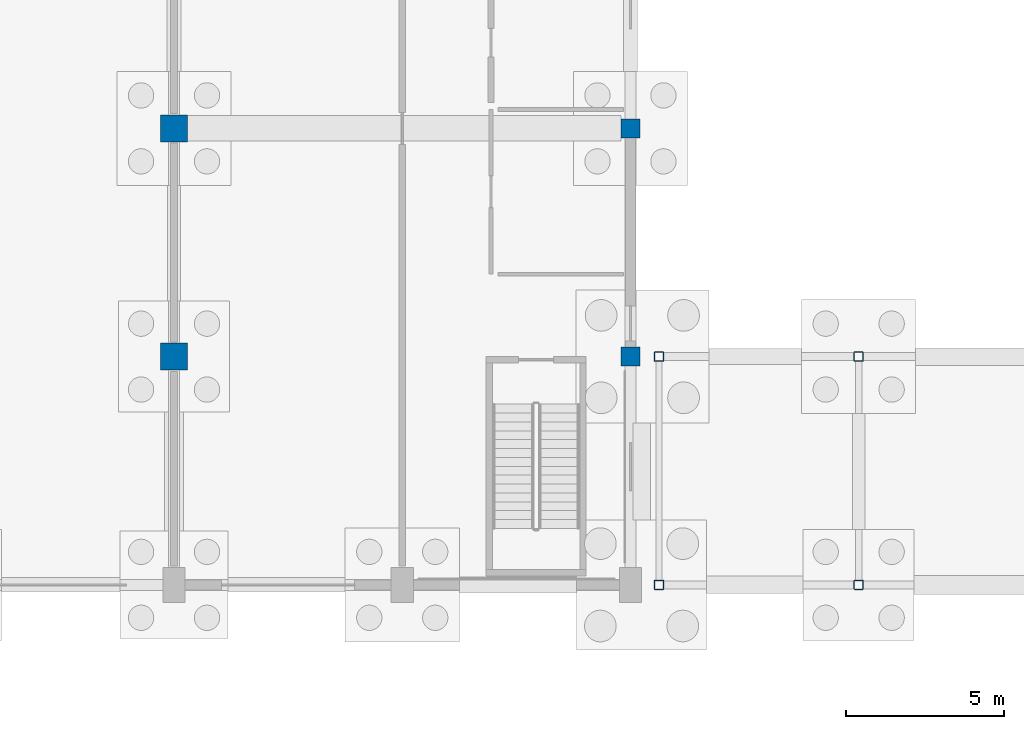
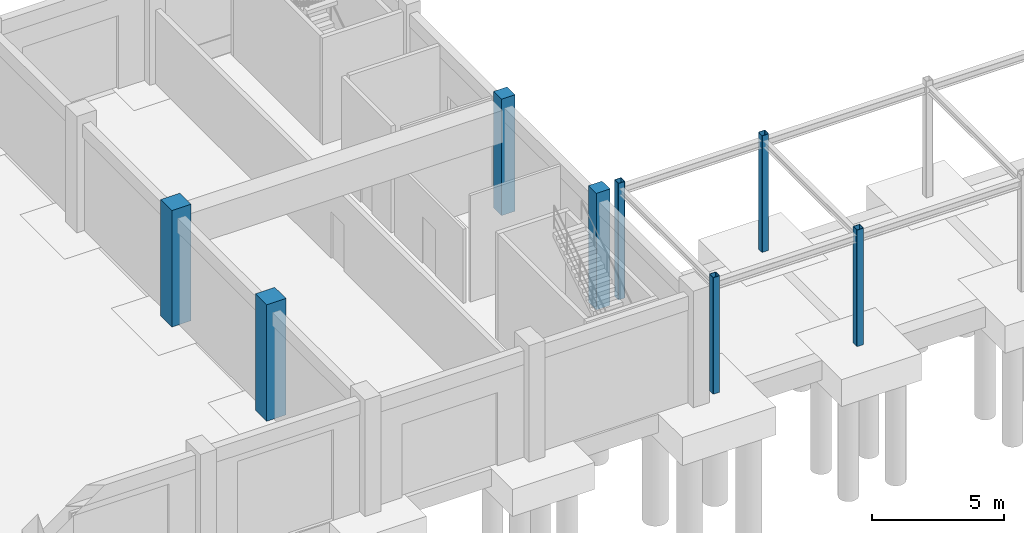
# One storey, part 12 of 93: 8 columns.
"""IFC4 building model written with IfcOpenShell, lengths in metres."""

from ifc_helpers import new_model, si_unit, direction, frame, origin, origin_2d, place, context, subcontext, project, spatial, rectangle, hollow_rectangle, extrude, material, material_profile, profile_set, type_object, element, save


model = new_model("IFC4")

# Units and contexts
model_context = context("Model", 3, precision=1e-05, world=origin(), true_north=direction((0.0, 1.0)))
body_context = subcontext(model_context, "Body", "Model", "MODEL_VIEW")
ifc_project = project(units=[si_unit("LENGTHUNIT", "METRE"), si_unit("AREAUNIT", "SQUARE_METRE"), si_unit("VOLUMEUNIT", "CUBIC_METRE"), si_unit("PLANEANGLEUNIT", "RADIAN"), si_unit("MASSUNIT", "GRAM", prefix="KILO")], contexts=[model_context])

# Site, building, storey
site_placement = place(None, origin())
site = spatial("IfcSite", under=ifc_project, at=site_placement, CompositionType="ELEMENT")
building_placement = place(site_placement, origin())
building = spatial("IfcBuilding", under=site, at=building_placement, Name="Koriwan Promenade Central Fire Station", CompositionType="ELEMENT")
storey_placement = place(building_placement, origin())
storey = spatial("IfcBuildingStorey", under=building, at=storey_placement, Name="L00", CompositionType="ELEMENT", Elevation=0.0)

# Columns
ifc_material_1 = material(Name="Concrete C40/50", Category="concrete")
ifc_material_profile_1 = material_profile(ifc_material_1, rectangle(XDim=0.60009765625, YDim=0.60009765625, at=origin_2d()), Name="RC-COL-600x600")
ifc_profile_set_1 = profile_set([ifc_material_profile_1], Name="Concrete C40/50")
column_type_1 = type_object("IfcColumnType", Name="Column_RC-COL-600x600", PredefinedType="COLUMN", material=ifc_profile_set_1)
for number, where, z_axis, x_axis, name in (
    (1, (115.199951171875, 50.39990234375, 0.0), (0.0, 0.0, 1.0), (1.0, 0.0, 0.0), "V1 L00 column (115.2, 50.4)"),
    (2, (115.199951171875, 57.60009765625, 0.0), (0.0, 0.0, 1.0), (1.0, 0.0, 0.0), "V1 L00 column (115.2, 57.6)"),
):
    element("IfcColumn", number, at=place(storey_placement, frame(where, z_axis=z_axis, x_axis=x_axis)), inside=storey, type_object=column_type_1, Name=name, PredefinedType="COLUMN", context=body_context, shape_type="SweptSolid", body=[
        extrude(rectangle(XDim=0.60009765625, YDim=0.60009765625, at=origin_2d()), origin(), (0.0, 0.0, 1.0), 5.39990234375),
    ])
ifc_material_profile_2 = material_profile(ifc_material_1, rectangle(XDim=0.85009765625, YDim=0.85009765625, at=origin_2d()), Name="RC-COL-850x850")
ifc_profile_set_2 = profile_set([ifc_material_profile_2], Name="Concrete C40/50")
column_type_2 = type_object("IfcColumnType", Name="Column_RC-COL-850x850", PredefinedType="COLUMN", material=ifc_profile_set_2)
for number, where, z_axis, x_axis, name in (
    (3, (100.800048828125, 50.39990234375, 0.0), (0.0, 0.0, 1.0), (1.0, 0.0, 0.0), "V1 L00 column (100.8, 50.4)"),
    (4, (100.800048828125, 57.60009765625, 0.0), (0.0, 0.0, 1.0), (1.0, 0.0, 0.0), "V1 L00 column (100.8, 57.6)"),
):
    element("IfcColumn", number, at=place(storey_placement, frame(where, z_axis=z_axis, x_axis=x_axis)), inside=storey, type_object=column_type_2, Name=name, PredefinedType="COLUMN", context=body_context, shape_type="SweptSolid", body=[
        extrude(rectangle(XDim=0.85009765625, YDim=0.85009765625, at=origin_2d()), origin(), (0.0, 0.0, 1.0), 5.39990234375),
    ])
ifc_material_2 = material(Name="Steel ASTM A500 Grade C", Category="steel")
ifc_material_profile_3 = material_profile(ifc_material_2, hollow_rectangle(XDim=0.300048828125, YDim=0.300048828125, WallThickness=0.013916015625, InnerFilletRadius=0.013916015625, OuterFilletRadius=0.028076171875, at=origin_2d()), Name="HSS300x300x14")
ifc_profile_set_3 = profile_set([ifc_material_profile_3], Name="Steel ASTM A500 Grade C")
column_type_3 = type_object("IfcColumnType", Name="SteelColumn_HSS300x300x14", PredefinedType="COLUMN", material=ifc_profile_set_3)
for number, where, z_axis, x_axis, name in (
    (5, (116.10009765625, 43.199951171875, 0.0), (0.0, 0.0, 1.0), (1.0, 0.0, 0.0), "COL_CHARBAGH L00 pier (116.1, 43.2)"),
    (6, (116.10009765625, 50.39990234375, 0.0), (0.0, 0.0, 1.0), (1.0, 0.0, 0.0), "COL_CHARBAGH L00 pier (116.1, 50.4)"),
    (7, (122.39990234375, 43.199951171875, 0.0), (0.0, 0.0, 1.0), (1.0, 0.0, 0.0), "COL_CHARBAGH L00 pier (122.4, 43.2)"),
    (8, (122.39990234375, 50.39990234375, 0.0), (0.0, 0.0, 1.0), (1.0, 0.0, 0.0), "COL_CHARBAGH L00 pier (122.4, 50.4)"),
):
    element("IfcColumn", number, at=place(storey_placement, frame(where, z_axis=z_axis, x_axis=x_axis)), inside=storey, type_object=column_type_3, Name=name, PredefinedType="COLUMN", context=body_context, shape_type="SweptSolid", body=[
        extrude(hollow_rectangle(XDim=0.300048828125, YDim=0.300048828125, WallThickness=0.013916015625, InnerFilletRadius=0.013916015625, OuterFilletRadius=0.028076171875, at=origin_2d()), origin(), (0.0, 0.0, 1.0), 5.39990234375),
    ])

save(model, "model.ifc")
